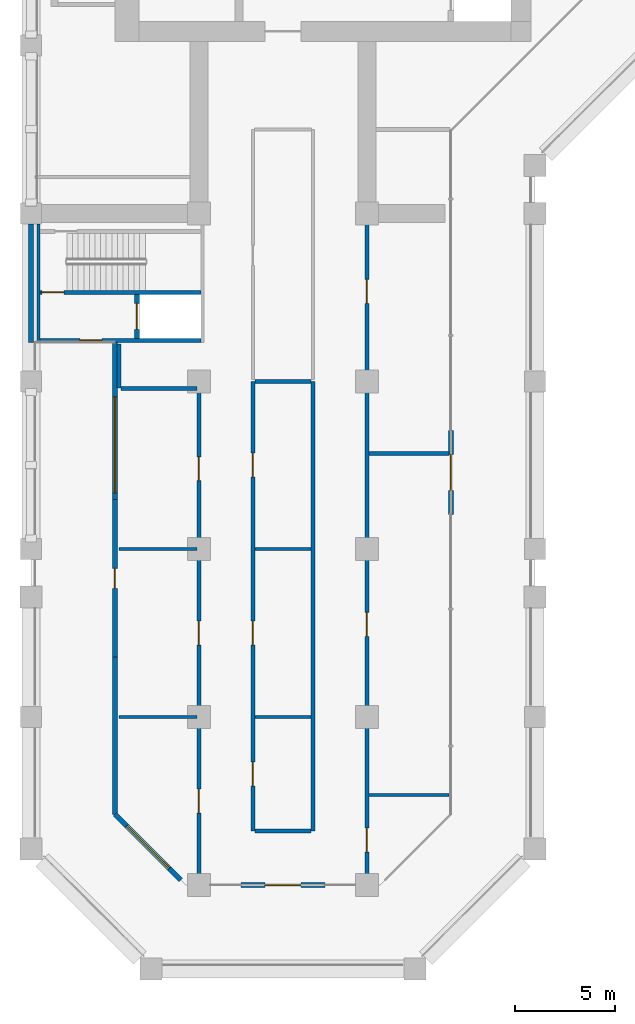
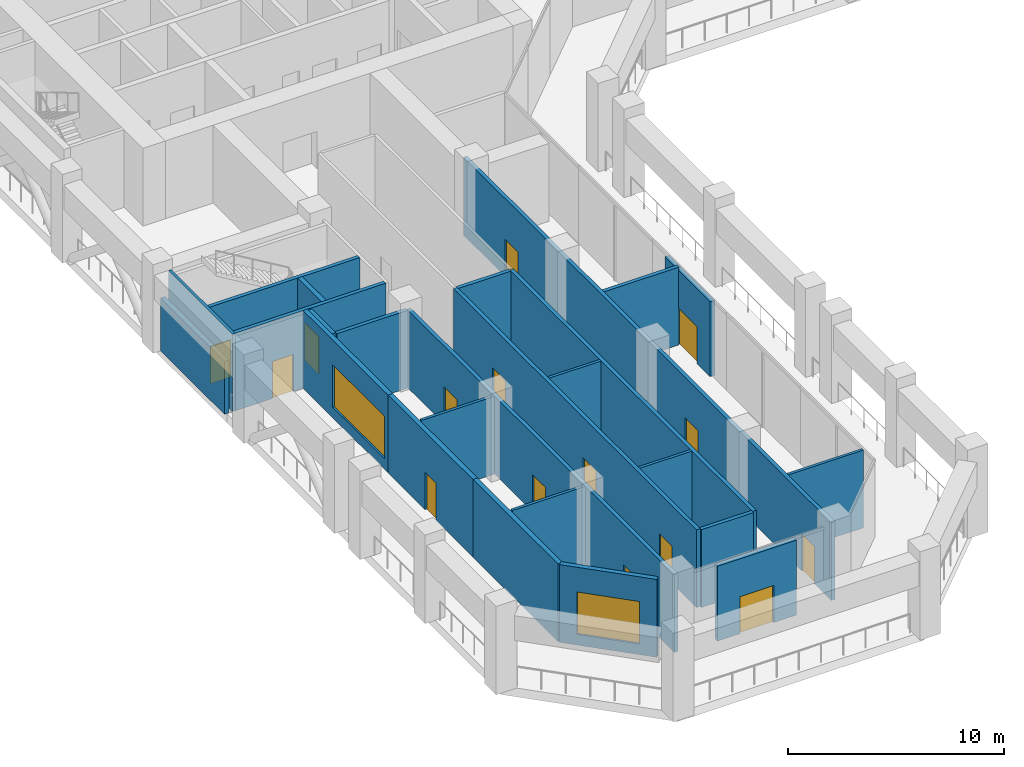
# One storey, part 6 of 19: 25 walls, 15 doors, 2 windows, 17 openings.
"""IFC4 building model written with IfcOpenShell, lengths in metres."""

from ifc_helpers import new_model, si_unit, direction, frame, frame_2d, origin, place, context, subcontext, project, spatial, rectangle, extrude, material, layer, layer_set, type_object, element, fill, save


model = new_model("IFC4")

# Units and contexts
model_context = context("Model", 3, precision=1e-05, world=origin(), true_north=direction((0.0, 1.0)))
body_context = subcontext(model_context, "Body", "Model", "MODEL_VIEW")
ifc_project = project(units=[si_unit("LENGTHUNIT", "METRE"), si_unit("AREAUNIT", "SQUARE_METRE"), si_unit("VOLUMEUNIT", "CUBIC_METRE"), si_unit("PLANEANGLEUNIT", "RADIAN"), si_unit("MASSUNIT", "GRAM", prefix="KILO")], contexts=[model_context])

# Site, building, storey
site_placement = place(None, origin())
site = spatial("IfcSite", under=ifc_project, at=site_placement, CompositionType="ELEMENT")
building_placement = place(site_placement, origin())
building = spatial("IfcBuilding", under=site, at=building_placement, Name="Kawkab Arch Medical Tower", CompositionType="ELEMENT")
storey_placement = place(building_placement, frame((0.0, 0.0, 93.800048828125)))
storey = spatial("IfcBuildingStorey", under=building, at=storey_placement, Name="L21", CompositionType="ELEMENT", Elevation=93.800048828125)

# Wall, opening, door
ifc_material_1 = material(Name="Concrete C60/75", Category="concrete")
ifc_layer_1 = layer(ifc_material_1, 0.25)
ifc_layer_set_1 = layer_set([ifc_layer_1], Name="Concrete C60/75")
wall_type_1 = type_object("IfcWallType", Name="Core shear wall 250 C60/75", PredefinedType="SHEAR", material=ifc_layer_set_1)
wall_1_placement = place(storey_placement, frame((5.300048828125, -39.85009765625, 0.0), z_axis=(0.0, 0.0, 1.0), x_axis=(0.0, 1.0, 0.0)))
wall_1 = element("IfcWall", 1, at=wall_1_placement, inside=storey, type_object=wall_type_1, Name="L21 core shear wall", PredefinedType="SHEAR", context=body_context, shape_type="SweptSolid", body=[
    extrude(rectangle(XDim=2.2001953125, YDim=0.25, at=frame_2d((1.10009765625, 0.0))), origin(), (0.0, 0.0, 1.0), 4.39990234375),
])
opening_1_placement = place(wall_1_placement, frame((0.449951171875, 0.0, 0.0)))
opening_1 = element("IfcOpeningElement", 2, at=opening_1_placement, cuts=wall_1, Name="Opening LD2", PredefinedType="OPENING", context=body_context, shape_type="SweptSolid", body=[
    extrude(rectangle(XDim=1.300048828125, YDim=2.10009765625, at=frame_2d((0.64990234375, 1.050048828125))), frame((0.0, 0.135009765625, 0.0), z_axis=(0.0, -1.0, 0.0), x_axis=(1.0, 0.0, 0.0)), (0.0, 0.0, 1.0), 0.27001953125),
])
ifc_material_2 = material(Name="Stainless steel lift door leaf", Category="steel")
door_type_1 = type_object("IfcDoorType", Name="Lift landing door 1300", OperationType="DOUBLE_DOOR_SLIDING", PredefinedType="DOOR", material=ifc_material_2)
door_1_placement = place(opening_1_placement, origin())
door_1 = element("IfcDoor", 3, at=door_1_placement, inside=storey, type_object=door_type_1, Name="L21 Lift landing door SV2", OperationType="DOUBLE_DOOR_SLIDING", OverallHeight=2.10009765625, OverallWidth=1.300048828125, PredefinedType="DOOR", context=body_context, shape_type="SweptSolid", body=[
    extrude(rectangle(XDim=1.300048828125, YDim=2.10009765625, at=frame_2d((0.64990234375, 1.050048828125))), frame((0.0, 0.02490234375, 0.0), z_axis=(0.0, -1.0, 0.0), x_axis=(1.0, 0.0, 0.0)), (0.0, 0.0, 1.0), 0.050048828125),
])
fill(opening_1, door_1)

# Wall
ifc_material_3 = material(Name="Bronze clad insulated wall panel")
ifc_layer_2 = layer(ifc_material_3, 0.25)
ifc_layer_set_2 = layer_set([ifc_layer_2], Name="Bronze clad insulated wall panel")
wall_type_2 = type_object("IfcWallType", Name="External wall bay 250", PredefinedType="SOLIDWALL", material=ifc_layer_set_2)
wall_2_placement = place(storey_placement, frame((0.0, -34.125, 0.0), z_axis=(0.0, 0.0, 1.0), x_axis=(0.0, -1.0, 0.0)))
element("IfcWall", 4, at=wall_2_placement, inside=storey, type_object=wall_type_2, Name="Plant wall L21.R02.4", PredefinedType="SOLIDWALL", context=body_context, shape_type="SweptSolid", body=[
    extrude(rectangle(XDim=5.925048828125, YDim=0.25, at=frame_2d((2.96240234375, 0.0))), origin(), (0.0, 0.0, 1.0), 3.0),
])

# Wall, opening, window
wall_3_placement = place(storey_placement, frame((4.199951171875, -40.050048828125, 0.0), z_axis=(0.0, 0.0, 1.0), x_axis=(0.0, -1.0, 0.0)))
wall_3 = element("IfcWall", 5, at=wall_3_placement, inside=storey, type_object=wall_type_2, Name="Plant wall L21.R05.1", PredefinedType="SOLIDWALL", context=body_context, shape_type="SweptSolid", body=[
    extrude(rectangle(XDim=7.869873046875, YDim=0.25, at=frame_2d((3.93505859375, 0.0))), origin(), (0.0, 0.0, 1.0), 4.39990234375),
])
opening_2_placement = place(wall_3_placement, frame((2.735107421875, 0.0, 0.60009765625)))
opening_2 = element("IfcOpeningElement", 6, at=opening_2_placement, cuts=wall_3, Name="Opening PW480-24-S6", PredefinedType="OPENING", context=body_context, shape_type="SweptSolid", body=[
    extrude(rectangle(XDim=4.800048828125, YDim=2.39990234375, at=frame_2d((2.39990234375, 1.199951171875))), frame((0.0, 0.135009765625, 0.0), z_axis=(0.0, -1.0, 0.0), x_axis=(1.0, 0.0, 0.0)), (0.0, 0.0, 1.0), 0.27001953125),
])
ifc_material_4 = material(Name="Bronze anodised aluminium louvred window", Category="aluminium")
window_type_1 = type_object("IfcWindowType", Name="Plant louvre window 4800 x 2400 sill 600", PartitioningType="DOUBLE_PANEL_VERTICAL", PredefinedType="WINDOW", material=ifc_material_4)
window_1_placement = place(opening_2_placement, origin())
window_1 = element("IfcWindow", 7, at=window_1_placement, inside=storey, type_object=window_type_1, Name="Plant louvre window L21.R05.1", OverallHeight=2.39990234375, OverallWidth=4.800048828125, PartitioningType="SINGLE_PANEL", PredefinedType="WINDOW", context=body_context, shape_type="SweptSolid", body=[
    extrude(rectangle(XDim=4.800048828125, YDim=2.39990234375, at=frame_2d((2.39990234375, 1.199951171875))), frame((0.0, 0.030029296875, 0.0), z_axis=(0.0, -1.0, 0.0), x_axis=(1.0, 0.0, 0.0)), (0.0, 0.0, 1.0), 0.06005859375),
])
fill(opening_2, window_1)

# Wall, opening, door
wall_4_placement = place(storey_placement, frame((4.199951171875, -47.919921875, 0.0), z_axis=(0.0, 0.0, 1.0), x_axis=(0.0, -1.0, 0.0)))
wall_4 = element("IfcWall", 8, at=wall_4_placement, inside=storey, type_object=wall_type_2, Name="Plant wall L21.R05.2", PredefinedType="SOLIDWALL", context=body_context, shape_type="SweptSolid", body=[
    extrude(rectangle(XDim=7.8701171875, YDim=0.25, at=frame_2d((3.93505859375, 0.0))), origin(), (0.0, 0.0, 1.0), 4.39990234375),
])
opening_3_placement = place(wall_4_placement, frame((3.43505859375, 0.0, 0.0)))
opening_3 = element("IfcOpeningElement", 9, at=opening_3_placement, cuts=wall_4, Name="Opening PL1B-701", PredefinedType="OPENING", context=body_context, shape_type="SweptSolid", body=[
    extrude(rectangle(XDim=1.0, YDim=2.10009765625, at=frame_2d((0.5, 1.050048828125))), frame((0.0, 0.135009765625, 0.0), z_axis=(0.0, -1.0, 0.0), x_axis=(1.0, 0.0, 0.0)), (0.0, 0.0, 1.0), 0.27001953125),
])
ifc_material_5 = material(Name="Bronze anodised aluminium door with tinted glass", Category="aluminium")
door_type_2 = type_object("IfcDoorType", Name="Single external door 1000 x 2100", OperationType="SINGLE_SWING_LEFT", PredefinedType="DOOR", material=ifc_material_5)
door_2_placement = place(opening_3_placement, origin())
door_2 = element("IfcDoor", 10, at=door_2_placement, inside=storey, type_object=door_type_2, Name="Roof terrace door L21.R05.2", OperationType="SINGLE_SWING_LEFT", OverallHeight=2.10009765625, OverallWidth=1.0, PredefinedType="DOOR", context=body_context, shape_type="SweptSolid", body=[
    extrude(rectangle(XDim=1.0, YDim=2.10009765625, at=frame_2d((0.5, 1.050048828125))), frame((0.0, 0.02490234375, 0.0), z_axis=(0.0, -1.0, 0.0), x_axis=(1.0, 0.0, 0.0)), (0.0, 0.0, 1.0), 0.050048828125),
])
fill(opening_3, door_2)

# Wall
wall_5_placement = place(storey_placement, frame((4.199951171875, -55.7900390625, 0.0), z_axis=(0.0, 0.0, 1.0), x_axis=(0.0, -1.0, 0.0)))
element("IfcWall", 11, at=wall_5_placement, inside=storey, type_object=wall_type_2, Name="Plant wall L21.R05.3", PredefinedType="SOLIDWALL", context=body_context, shape_type="SweptSolid", body=[
    extrude(rectangle(XDim=7.869873046875, YDim=0.25, at=frame_2d((3.93505859375, 0.0))), origin(), (0.0, 0.0, 1.0), 4.39990234375),
])

# Wall, opening, window
wall_6_placement = place(storey_placement, frame((4.199951171875, -63.659912109375, 0.0), z_axis=(0.0, 0.0, 1.0), x_axis=(0.707106781187, -0.707106781187, 0.0)))
wall_6 = element("IfcWall", 12, at=wall_6_placement, inside=storey, type_object=wall_type_2, Name="Plant wall L21.R06.1", PredefinedType="SOLIDWALL", context=body_context, shape_type="SweptSolid", body=[
    extrude(rectangle(XDim=4.66015625, YDim=0.25, at=frame_2d((2.330078125, 0.0))), origin(), (0.0, 0.0, 1.0), 4.39990234375),
])
opening_4_placement = place(wall_6_placement, frame((0.829833984375, 0.0, 0.60009765625)))
opening_4 = element("IfcOpeningElement", 13, at=opening_4_placement, cuts=wall_6, Name="Opening PW300-24-S6", PredefinedType="OPENING", context=body_context, shape_type="SweptSolid", body=[
    extrude(rectangle(XDim=3.0, YDim=2.39990234375, at=frame_2d((1.5, 1.199951171875))), frame((0.0, 0.135009765625, 0.0), z_axis=(0.0, -1.0, 0.0), x_axis=(1.0, 0.0, 0.0)), (0.0, 0.0, 1.0), 0.27001953125),
])
ifc_material_6 = material(Name="Bronze anodised aluminium louvred window", Category="aluminium")
window_type_2 = type_object("IfcWindowType", Name="Plant louvre window 3000 x 2400 sill 600", PartitioningType="DOUBLE_PANEL_VERTICAL", PredefinedType="WINDOW", material=ifc_material_6)
window_2_placement = place(opening_4_placement, origin())
window_2 = element("IfcWindow", 14, at=window_2_placement, inside=storey, type_object=window_type_2, Name="Plant louvre window L21.R06.1", OverallHeight=2.39990234375, OverallWidth=3.0, PartitioningType="SINGLE_PANEL", PredefinedType="WINDOW", context=body_context, shape_type="SweptSolid", body=[
    extrude(rectangle(XDim=3.0, YDim=2.39990234375, at=frame_2d((1.5, 1.199951171875))), frame((0.0, 0.030029296875, 0.0), z_axis=(0.0, -1.0, 0.0), x_axis=(1.0, 0.0, 0.0)), (0.0, 0.0, 1.0), 0.06005859375),
])
fill(opening_4, window_2)

# Wall, opening, door
wall_7_placement = place(storey_placement, frame((10.5, -67.200927734375, 0.0), z_axis=(0.0, 0.0, 1.0), x_axis=(1.0, 0.0, 0.0)))
wall_7 = element("IfcWall", 15, at=wall_7_placement, inside=storey, type_object=wall_type_2, Name="External wall bay L21.R07.1.2", PredefinedType="SOLIDWALL", context=body_context, shape_type="SweptSolid", body=[
    extrude(rectangle(XDim=4.199951171875, YDim=0.25, at=frame_2d((2.10009765625, 0.0))), origin(), (0.0, 0.0, 1.0), 4.239990234375),
])
opening_5_placement = place(wall_7_placement, frame((1.199951171875, 0.0, 0.0)))
opening_5 = element("IfcOpeningElement", 16, at=opening_5_placement, cuts=wall_7, Name="Opening PL1B-702", PredefinedType="OPENING", context=body_context, shape_type="SweptSolid", body=[
    extrude(rectangle(XDim=1.800048828125, YDim=2.10009765625, at=frame_2d((0.89990234375, 1.050048828125))), frame((0.0, 0.135009765625, 0.0), z_axis=(0.0, -1.0, 0.0), x_axis=(1.0, 0.0, 0.0)), (0.0, 0.0, 1.0), 0.27001953125),
])
ifc_material_7 = material(Name="Bronze anodised aluminium door with tinted glass", Category="aluminium")
door_type_3 = type_object("IfcDoorType", Name="Double external door 1800 x 2100", OperationType="DOUBLE_DOOR_SINGLE_SWING", PredefinedType="DOOR", material=ifc_material_7)
door_3_placement = place(opening_5_placement, origin())
door_3 = element("IfcDoor", 17, at=door_3_placement, inside=storey, type_object=door_type_3, Name="External door L21.R07.1.2", OperationType="DOUBLE_DOOR_SINGLE_SWING", OverallHeight=2.10009765625, OverallWidth=1.800048828125, PredefinedType="DOOR", context=body_context, shape_type="SweptSolid", body=[
    extrude(rectangle(XDim=1.800048828125, YDim=2.10009765625, at=frame_2d((0.89990234375, 1.050048828125))), frame((0.0, 0.02490234375, 0.0), z_axis=(0.0, -1.0, 0.0), x_axis=(1.0, 0.0, 0.0)), (0.0, 0.0, 1.0), 0.050048828125),
])
fill(opening_5, door_3)

wall_8_placement = place(storey_placement, frame((21.0, -48.659912109375, 0.0), z_axis=(0.0, 0.0, 1.0), x_axis=(0.0, 1.0, 0.0)))
wall_8 = element("IfcWall", 18, at=wall_8_placement, inside=storey, type_object=wall_type_2, Name="External wall bay L21.R09.3.2", PredefinedType="SOLIDWALL", context=body_context, shape_type="SweptSolid", body=[
    extrude(rectangle(XDim=4.199951171875, YDim=0.25, at=frame_2d((2.10009765625, 0.0))), origin(), (0.0, 0.0, 1.0), 4.239990234375),
])
opening_6_placement = place(wall_8_placement, frame((1.199951171875, 0.0, 0.0)))
opening_6 = element("IfcOpeningElement", 19, at=opening_6_placement, cuts=wall_8, Name="Opening PL1B-702", PredefinedType="OPENING", context=body_context, shape_type="SweptSolid", body=[
    extrude(rectangle(XDim=1.800048828125, YDim=2.10009765625, at=frame_2d((0.89990234375, 1.050048828125))), frame((0.0, 0.135009765625, 0.0), z_axis=(0.0, -1.0, 0.0), x_axis=(1.0, 0.0, 0.0)), (0.0, 0.0, 1.0), 0.27001953125),
])
door_4_placement = place(opening_6_placement, origin())
door_4 = element("IfcDoor", 20, at=door_4_placement, inside=storey, type_object=door_type_3, Name="External door L21.R09.3.2", OperationType="DOUBLE_DOOR_SINGLE_SWING", OverallHeight=2.10009765625, OverallWidth=1.800048828125, PredefinedType="DOOR", context=body_context, shape_type="SweptSolid", body=[
    extrude(rectangle(XDim=1.800048828125, YDim=2.10009765625, at=frame_2d((0.89990234375, 1.050048828125))), frame((0.0, 0.02490234375, 0.0), z_axis=(0.0, -1.0, 0.0), x_axis=(1.0, 0.0, 0.0)), (0.0, 0.0, 1.0), 0.050048828125),
])
fill(opening_6, door_4)

# Walls
ifc_material_8 = material(Name="Gypsum board partition on steel studs, mineral wool", Category="steel")
ifc_layer_3 = layer(ifc_material_8, 0.14990234375)
ifc_layer_set_3 = layer_set([ifc_layer_3], Name="Gypsum board partition on steel studs, mineral wool")
wall_type_3 = type_object("IfcWallType", Name="Partition 150", PredefinedType="PARTITIONING", material=ifc_layer_set_3)
wall_9_placement = place(storey_placement, frame((16.89990234375, -62.699951171875, 0.0), z_axis=(0.0, 0.0, 1.0), x_axis=(1.0, 0.0, 0.0)))
element("IfcWall", 21, at=wall_9_placement, inside=storey, type_object=wall_type_3, Name="Partition 150 w001", PredefinedType="PARTITIONING", context=body_context, shape_type="SweptSolid", body=[
    extrude(rectangle(XDim=4.02001953125, YDim=0.14990234375, at=frame_2d((2.010009765625, 0.0))), origin(), (0.0, 0.0, 1.0), 4.39990234375),
])
wall_10_placement = place(storey_placement, frame((4.39990234375, -58.800048828125, 0.0), z_axis=(0.0, 0.0, 1.0), x_axis=(1.0, 0.0, 0.0)))
element("IfcWall", 22, at=wall_10_placement, inside=storey, type_object=wall_type_3, Name="Partition 150 w002", PredefinedType="PARTITIONING", context=body_context, shape_type="SweptSolid", body=[
    extrude(rectangle(XDim=3.900146484375, YDim=0.14990234375, at=frame_2d((1.9501953125, 0.0))), origin(), (0.0, 0.0, 1.0), 4.39990234375),
])
wall_11_placement = place(storey_placement, frame((11.199951171875, -58.800048828125, 0.0), z_axis=(0.0, 0.0, 1.0), x_axis=(1.0, 0.0, 0.0)))
element("IfcWall", 23, at=wall_11_placement, inside=storey, type_object=wall_type_3, Name="Partition 150 w003", PredefinedType="PARTITIONING", context=body_context, shape_type="SweptSolid", body=[
    extrude(rectangle(XDim=2.800048828125, YDim=0.14990234375, at=frame_2d((1.39990234375, 0.0))), origin(), (0.0, 0.0, 1.0), 4.39990234375),
])
wall_12_placement = place(storey_placement, frame((4.39990234375, -50.39990234375, 0.0), z_axis=(0.0, 0.0, 1.0), x_axis=(1.0, 0.0, 0.0)))
element("IfcWall", 24, at=wall_12_placement, inside=storey, type_object=wall_type_3, Name="Partition 150 w004", PredefinedType="PARTITIONING", context=body_context, shape_type="SweptSolid", body=[
    extrude(rectangle(XDim=3.900146484375, YDim=0.14990234375, at=frame_2d((1.9501953125, 0.0))), origin(), (0.0, 0.0, 1.0), 4.39990234375),
])
wall_13_placement = place(storey_placement, frame((11.199951171875, -50.39990234375, 0.0), z_axis=(0.0, 0.0, 1.0), x_axis=(1.0, 0.0, 0.0)))
element("IfcWall", 25, at=wall_13_placement, inside=storey, type_object=wall_type_3, Name="Partition 150 w005", PredefinedType="PARTITIONING", context=body_context, shape_type="SweptSolid", body=[
    extrude(rectangle(XDim=2.800048828125, YDim=0.14990234375, at=frame_2d((1.39990234375, 0.0))), origin(), (0.0, 0.0, 1.0), 4.39990234375),
])
ifc_material_9 = material(Name="Fire-rated gypsum board partition on steel studs", Category="steel")
ifc_layer_4 = layer(ifc_material_9, 0.199951171875)
ifc_layer_set_4 = layer_set([ifc_layer_4], Name="Fire-rated gypsum board partition on steel studs")
wall_type_4 = type_object("IfcWallType", Name="Protected partition 200", PredefinedType="PARTITIONING", material=ifc_layer_set_4)
wall_14_placement = place(storey_placement, frame((11.202880859375, -64.5, 0.0), z_axis=(0.0, 0.0, 1.0), x_axis=(1.0, 0.0, 0.0)))
element("IfcWall", 26, at=wall_14_placement, inside=storey, type_object=wall_type_4, Name="Protected partition 200 w018", PredefinedType="PARTITIONING", context=body_context, shape_type="SweptSolid", body=[
    extrude(rectangle(XDim=2.797119140625, YDim=0.199951171875, at=frame_2d((1.3984375, 0.0))), origin(), (0.0, 0.0, 1.0), 4.39990234375),
])
wall_15_placement = place(storey_placement, frame((16.89990234375, -45.60888671875, 0.0), z_axis=(0.0, 0.0, 1.0), x_axis=(1.0, 0.0, 0.0)))
element("IfcWall", 27, at=wall_15_placement, inside=storey, type_object=wall_type_4, Name="Protected partition 200 w019", PredefinedType="PARTITIONING", context=body_context, shape_type="SweptSolid", body=[
    extrude(rectangle(XDim=4.02001953125, YDim=0.199951171875, at=frame_2d((2.010009765625, 0.0))), origin(), (0.0, 0.0, 1.0), 4.39990234375),
])
wall_16_placement = place(storey_placement, frame((4.5009765625, -42.35009765625, 0.0), z_axis=(0.0, 0.0, 1.0), x_axis=(1.0, 0.0, 0.0)))
element("IfcWall", 28, at=wall_16_placement, inside=storey, type_object=wall_type_4, Name="Protected partition 200 w020", PredefinedType="PARTITIONING", context=body_context, shape_type="SweptSolid", body=[
    extrude(rectangle(XDim=3.797119140625, YDim=0.199951171875, at=frame_2d((1.8984375, 0.0))), origin(), (0.0, 0.0, 1.0), 4.39990234375),
])
wall_17_placement = place(storey_placement, frame((11.199951171875, -42.0, 0.0), z_axis=(0.0, 0.0, 1.0), x_axis=(1.0, 0.0, 0.0)))
element("IfcWall", 29, at=wall_17_placement, inside=storey, type_object=wall_type_4, Name="Protected partition 200 w021", PredefinedType="PARTITIONING", context=body_context, shape_type="SweptSolid", body=[
    extrude(rectangle(XDim=2.800048828125, YDim=0.199951171875, at=frame_2d((1.39990234375, 0.0))), origin(), (0.0, 0.0, 1.0), 4.39990234375),
])
wall_18_placement = place(storey_placement, frame((4.39990234375, -42.347900390625, 0.0), z_axis=(0.0, 0.0, 1.0), x_axis=(0.0, 1.0, 0.0)))
element("IfcWall", 30, at=wall_18_placement, inside=storey, type_object=wall_type_4, Name="Protected partition 200 w033", PredefinedType="PARTITIONING", context=body_context, shape_type="SweptSolid", body=[
    extrude(rectangle(XDim=2.218017578125, YDim=0.199951171875, at=frame_2d((1.10888671875, 0.0))), origin(), (0.0, 0.0, 1.0), 4.39990234375),
])

# Wall, openings, doors
wall_19_placement = place(storey_placement, frame((8.39990234375, -67.12109375, 0.0), z_axis=(0.0, 0.0, 1.0), x_axis=(0.0, 1.0, 0.0)))
wall_19 = element("IfcWall", 31, at=wall_19_placement, inside=storey, type_object=wall_type_4, Name="Protected partition 200 w034", PredefinedType="PARTITIONING", context=body_context, shape_type="SweptSolid", body=[
    extrude(rectangle(XDim=24.76904296875, YDim=0.199951171875, at=frame_2d((12.384521484375, 0.0))), origin(), (0.0, 0.0, 1.0), 4.39990234375),
])
opening_7_placement = place(wall_19_placement, frame((20.14501953125, 0.0, 0.0)))
opening_7 = element("IfcOpeningElement", 32, at=opening_7_placement, cuts=wall_19, Name="Opening PL1B-013", PredefinedType="OPENING", context=body_context, shape_type="SweptSolid", body=[
    extrude(rectangle(XDim=1.199951171875, YDim=2.10009765625, at=frame_2d((0.60009765625, 1.050048828125))), frame((0.0, 0.10986328125, 0.0), z_axis=(0.0, -1.0, 0.0), x_axis=(1.0, 0.0, 0.0)), (0.0, 0.0, 1.0), 0.219970703125),
])
opening_8_placement = place(wall_19_placement, frame((11.9208984375, 0.0, 0.0)))
opening_8 = element("IfcOpeningElement", 33, at=opening_8_placement, cuts=wall_19, Name="Opening PL1B-014", PredefinedType="OPENING", context=body_context, shape_type="SweptSolid", body=[
    extrude(rectangle(XDim=1.199951171875, YDim=2.10009765625, at=frame_2d((0.60009765625, 1.050048828125))), frame((0.0, 0.10986328125, 0.0), z_axis=(0.0, -1.0, 0.0), x_axis=(1.0, 0.0, 0.0)), (0.0, 0.0, 1.0), 0.219970703125),
])
opening_9_placement = place(wall_19_placement, frame((3.52001953125, 0.0, 0.0)))
opening_9 = element("IfcOpeningElement", 34, at=opening_9_placement, cuts=wall_19, Name="Opening PL1B-015", PredefinedType="OPENING", context=body_context, shape_type="SweptSolid", body=[
    extrude(rectangle(XDim=1.199951171875, YDim=2.10009765625, at=frame_2d((0.60009765625, 1.050048828125))), frame((0.0, 0.10986328125, 0.0), z_axis=(0.0, -1.0, 0.0), x_axis=(1.0, 0.0, 0.0)), (0.0, 0.0, 1.0), 0.219970703125),
])
ifc_material_10 = material(Name="Hollow metal door leaf")
door_type_4 = type_object("IfcDoorType", Name="Single door 1200x2100 FD60", OperationType="NOTDEFINED", PredefinedType="DOOR", material=ifc_material_10)
door_5_placement = place(opening_7_placement, origin())
door_5 = element("IfcDoor", 35, at=door_5_placement, inside=storey, type_object=door_type_4, Name="Door PL1B-013", OperationType="SINGLE_SWING_RIGHT", OverallHeight=2.10009765625, OverallWidth=1.199951171875, PredefinedType="DOOR", context=body_context, shape_type="SweptSolid", body=[
    extrude(rectangle(XDim=1.199951171875, YDim=2.10009765625, at=frame_2d((0.60009765625, 1.050048828125))), frame((0.0, 0.02490234375, 0.0), z_axis=(0.0, -1.0, 0.0), x_axis=(1.0, 0.0, 0.0)), (0.0, 0.0, 1.0), 0.050048828125),
])
fill(opening_7, door_5)
door_6_placement = place(opening_8_placement, origin())
door_6 = element("IfcDoor", 36, at=door_6_placement, inside=storey, type_object=door_type_4, Name="Door PL1B-014", OperationType="SINGLE_SWING_LEFT", OverallHeight=2.10009765625, OverallWidth=1.199951171875, PredefinedType="DOOR", context=body_context, shape_type="SweptSolid", body=[
    extrude(rectangle(XDim=1.199951171875, YDim=2.10009765625, at=frame_2d((0.60009765625, 1.050048828125))), frame((0.0, 0.02490234375, 0.0), z_axis=(0.0, -1.0, 0.0), x_axis=(1.0, 0.0, 0.0)), (0.0, 0.0, 1.0), 0.050048828125),
])
fill(opening_8, door_6)
door_7_placement = place(opening_9_placement, origin())
door_7 = element("IfcDoor", 37, at=door_7_placement, inside=storey, type_object=door_type_4, Name="Door PL1B-015", OperationType="SINGLE_SWING_LEFT", OverallHeight=2.10009765625, OverallWidth=1.199951171875, PredefinedType="DOOR", context=body_context, shape_type="SweptSolid", body=[
    extrude(rectangle(XDim=1.199951171875, YDim=2.10009765625, at=frame_2d((0.60009765625, 1.050048828125))), frame((0.0, 0.02490234375, 0.0), z_axis=(0.0, -1.0, 0.0), x_axis=(1.0, 0.0, 0.0)), (0.0, 0.0, 1.0), 0.050048828125),
])
fill(opening_9, door_7)

wall_20_placement = place(storey_placement, frame((11.10009765625, -64.4970703125, 0.0), z_axis=(0.0, 0.0, 1.0), x_axis=(0.0, 1.0, 0.0)))
wall_20 = element("IfcWall", 38, at=wall_20_placement, inside=storey, type_object=wall_type_4, Name="Protected partition 200 w035", PredefinedType="PARTITIONING", context=body_context, shape_type="SweptSolid", body=[
    extrude(rectangle(XDim=22.4970703125, YDim=0.199951171875, at=frame_2d((11.24853515625, 0.0))), origin(), (0.0, 0.0, 1.0), 4.39990234375),
])
opening_10_placement = place(wall_20_placement, frame((17.697021484375, 0.0, 0.0)))
opening_10 = element("IfcOpeningElement", 39, at=opening_10_placement, cuts=wall_20, Name="Opening PL1B-016", PredefinedType="OPENING", context=body_context, shape_type="SweptSolid", body=[
    extrude(rectangle(XDim=1.199951171875, YDim=2.10009765625, at=frame_2d((0.60009765625, 1.050048828125))), frame((0.0, 0.10986328125, 0.0), z_axis=(0.0, -1.0, 0.0), x_axis=(1.0, 0.0, 0.0)), (0.0, 0.0, 1.0), 0.219970703125),
])
opening_11_placement = place(wall_20_placement, frame((9.297119140625, 0.0, 0.0)))
opening_11 = element("IfcOpeningElement", 40, at=opening_11_placement, cuts=wall_20, Name="Opening PL1B-017", PredefinedType="OPENING", context=body_context, shape_type="SweptSolid", body=[
    extrude(rectangle(XDim=1.199951171875, YDim=2.10009765625, at=frame_2d((0.60009765625, 1.050048828125))), frame((0.0, 0.10986328125, 0.0), z_axis=(0.0, -1.0, 0.0), x_axis=(1.0, 0.0, 0.0)), (0.0, 0.0, 1.0), 0.219970703125),
])
opening_12_placement = place(wall_20_placement, frame((2.248046875, 0.0, 0.0)))
opening_12 = element("IfcOpeningElement", 41, at=opening_12_placement, cuts=wall_20, Name="Opening PL1B-018", PredefinedType="OPENING", context=body_context, shape_type="SweptSolid", body=[
    extrude(rectangle(XDim=1.199951171875, YDim=2.10009765625, at=frame_2d((0.60009765625, 1.050048828125))), frame((0.0, 0.10986328125, 0.0), z_axis=(0.0, -1.0, 0.0), x_axis=(1.0, 0.0, 0.0)), (0.0, 0.0, 1.0), 0.219970703125),
])
door_8_placement = place(opening_10_placement, origin())
door_8 = element("IfcDoor", 42, at=door_8_placement, inside=storey, type_object=door_type_4, Name="Door PL1B-016", OperationType="SINGLE_SWING_LEFT", OverallHeight=2.10009765625, OverallWidth=1.199951171875, PredefinedType="DOOR", context=body_context, shape_type="SweptSolid", body=[
    extrude(rectangle(XDim=1.199951171875, YDim=2.10009765625, at=frame_2d((0.60009765625, 1.050048828125))), frame((0.0, 0.02490234375, 0.0), z_axis=(0.0, -1.0, 0.0), x_axis=(1.0, 0.0, 0.0)), (0.0, 0.0, 1.0), 0.050048828125),
])
fill(opening_10, door_8)
door_9_placement = place(opening_11_placement, origin())
door_9 = element("IfcDoor", 43, at=door_9_placement, inside=storey, type_object=door_type_4, Name="Door PL1B-017", OperationType="SINGLE_SWING_RIGHT", OverallHeight=2.10009765625, OverallWidth=1.199951171875, PredefinedType="DOOR", context=body_context, shape_type="SweptSolid", body=[
    extrude(rectangle(XDim=1.199951171875, YDim=2.10009765625, at=frame_2d((0.60009765625, 1.050048828125))), frame((0.0, 0.02490234375, 0.0), z_axis=(0.0, -1.0, 0.0), x_axis=(1.0, 0.0, 0.0)), (0.0, 0.0, 1.0), 0.050048828125),
])
fill(opening_11, door_9)
door_10_placement = place(opening_12_placement, origin())
door_10 = element("IfcDoor", 44, at=door_10_placement, inside=storey, type_object=door_type_4, Name="Door PL1B-018", OperationType="SINGLE_SWING_RIGHT", OverallHeight=2.10009765625, OverallWidth=1.199951171875, PredefinedType="DOOR", context=body_context, shape_type="SweptSolid", body=[
    extrude(rectangle(XDim=1.199951171875, YDim=2.10009765625, at=frame_2d((0.60009765625, 1.050048828125))), frame((0.0, 0.02490234375, 0.0), z_axis=(0.0, -1.0, 0.0), x_axis=(1.0, 0.0, 0.0)), (0.0, 0.0, 1.0), 0.050048828125),
])
fill(opening_12, door_10)

# Wall
wall_21_placement = place(storey_placement, frame((14.10009765625, -64.5, 0.0), z_axis=(0.0, 0.0, 1.0), x_axis=(0.0, 1.0, 0.0)))
element("IfcWall", 45, at=wall_21_placement, inside=storey, type_object=wall_type_4, Name="Protected partition 200 w036", PredefinedType="PARTITIONING", context=body_context, shape_type="SweptSolid", body=[
    extrude(rectangle(XDim=22.5, YDim=0.199951171875, at=frame_2d((11.25, 0.0))), origin(), (0.0, 0.0, 1.0), 4.39990234375),
])

# Wall, openings, doors
wall_22_placement = place(storey_placement, frame((16.800048828125, -67.12109375, 0.0), z_axis=(0.0, 0.0, 1.0), x_axis=(0.0, 1.0, 0.0)))
wall_22 = element("IfcWall", 46, at=wall_22_placement, inside=storey, type_object=wall_type_4, Name="Protected partition 200 w037", PredefinedType="PARTITIONING", context=body_context, shape_type="SweptSolid", body=[
    extrude(rectangle(XDim=34.09619140625, YDim=0.199951171875, at=frame_2d((17.048095703125, 0.0))), origin(), (0.0, 0.0, 1.0), 4.39990234375),
])
opening_13_placement = place(wall_22_placement, frame((29.01611328125, 0.0, 0.0)))
opening_13 = element("IfcOpeningElement", 47, at=opening_13_placement, cuts=wall_22, Name="Opening PL1B-022", PredefinedType="OPENING", context=body_context, shape_type="SweptSolid", body=[
    extrude(rectangle(XDim=1.199951171875, YDim=2.10009765625, at=frame_2d((0.60009765625, 1.050048828125))), frame((0.0, 0.10986328125, 0.0), z_axis=(0.0, -1.0, 0.0), x_axis=(1.0, 0.0, 0.0)), (0.0, 0.0, 1.0), 0.219970703125),
])
opening_14_placement = place(wall_22_placement, frame((12.365966796875, 0.0, 0.0)))
opening_14 = element("IfcOpeningElement", 48, at=opening_14_placement, cuts=wall_22, Name="Opening PL1B-019", PredefinedType="OPENING", context=body_context, shape_type="SweptSolid", body=[
    extrude(rectangle(XDim=1.199951171875, YDim=2.10009765625, at=frame_2d((0.60009765625, 1.050048828125))), frame((0.0, 0.10986328125, 0.0), z_axis=(0.0, -1.0, 0.0), x_axis=(1.0, 0.0, 0.0)), (0.0, 0.0, 1.0), 0.219970703125),
])
opening_15_placement = place(wall_22_placement, frame((1.570068359375, 0.0, 0.0)))
opening_15 = element("IfcOpeningElement", 49, at=opening_15_placement, cuts=wall_22, Name="Opening PL1B-020", PredefinedType="OPENING", context=body_context, shape_type="SweptSolid", body=[
    extrude(rectangle(XDim=1.199951171875, YDim=2.10009765625, at=frame_2d((0.60009765625, 1.050048828125))), frame((0.0, 0.10986328125, 0.0), z_axis=(0.0, -1.0, 0.0), x_axis=(1.0, 0.0, 0.0)), (0.0, 0.0, 1.0), 0.219970703125),
])
door_11_placement = place(opening_14_placement, origin())
door_11 = element("IfcDoor", 50, at=door_11_placement, inside=storey, type_object=door_type_4, Name="Door PL1B-019", OperationType="SINGLE_SWING_RIGHT", OverallHeight=2.10009765625, OverallWidth=1.199951171875, PredefinedType="DOOR", context=body_context, shape_type="SweptSolid", body=[
    extrude(rectangle(XDim=1.199951171875, YDim=2.10009765625, at=frame_2d((0.60009765625, 1.050048828125))), frame((0.0, 0.02490234375, 0.0), z_axis=(0.0, -1.0, 0.0), x_axis=(1.0, 0.0, 0.0)), (0.0, 0.0, 1.0), 0.050048828125),
])
fill(opening_14, door_11)
door_12_placement = place(opening_15_placement, origin())
door_12 = element("IfcDoor", 51, at=door_12_placement, inside=storey, type_object=door_type_4, Name="Door PL1B-020", OperationType="SINGLE_SWING_RIGHT", OverallHeight=2.10009765625, OverallWidth=1.199951171875, PredefinedType="DOOR", context=body_context, shape_type="SweptSolid", body=[
    extrude(rectangle(XDim=1.199951171875, YDim=2.10009765625, at=frame_2d((0.60009765625, 1.050048828125))), frame((0.0, 0.02490234375, 0.0), z_axis=(0.0, -1.0, 0.0), x_axis=(1.0, 0.0, 0.0)), (0.0, 0.0, 1.0), 0.050048828125),
])
fill(opening_15, door_12)
ifc_material_11 = material(Name="Hollow metal door leaf")
door_type_5 = type_object("IfcDoorType", Name="Single door 1200x2100 FD90", OperationType="NOTDEFINED", PredefinedType="DOOR", material=ifc_material_11)
door_13_placement = place(opening_13_placement, origin())
door_13 = element("IfcDoor", 52, at=door_13_placement, inside=storey, type_object=door_type_5, Name="Door PL1B-022", OperationType="SINGLE_SWING_LEFT", OverallHeight=2.10009765625, OverallWidth=1.199951171875, PredefinedType="DOOR", context=body_context, shape_type="SweptSolid", body=[
    extrude(rectangle(XDim=1.199951171875, YDim=2.10009765625, at=frame_2d((0.60009765625, 1.050048828125))), frame((0.0, 0.02490234375, 0.0), z_axis=(0.0, -1.0, 0.0), x_axis=(1.0, 0.0, 0.0)), (0.0, 0.0, 1.0), 0.050048828125),
])
fill(opening_13, door_13)

# Wall
ifc_material_12 = material(Name="Concrete C50/60", Category="concrete")
ifc_layer_5 = layer(ifc_material_12, 0.14990234375)
ifc_layer_set_5 = layer_set([ifc_layer_5], Name="Concrete C50/60")
wall_type_5 = type_object("IfcWallType", Name="Stair enclosure wall 150 C50/60", PredefinedType="SHEAR", material=ifc_layer_set_5)
wall_23_placement = place(storey_placement, frame((0.375, -40.050048828125, 0.0), z_axis=(0.0, 0.0, 1.0), x_axis=(0.0, 1.0, 0.0)))
element("IfcWall", 53, at=wall_23_placement, inside=storey, type_object=wall_type_5, Name="L21 stair enclosure wall", PredefinedType="SHEAR", context=body_context, shape_type="SweptSolid", body=[
    extrude(rectangle(XDim=5.925048828125, YDim=0.14990234375, at=frame_2d((2.96240234375, 0.0))), origin(), (0.0, 0.0, 1.0), 4.39990234375),
])

# Wall, opening, door
ifc_material_13 = material(Name="Concrete C50/60", Category="concrete")
ifc_layer_6 = layer(ifc_material_13, 0.199951171875)
ifc_layer_set_6 = layer_set([ifc_layer_6], Name="Concrete C50/60")
wall_type_6 = type_object("IfcWallType", Name="Stair enclosure wall 200 C50/60", PredefinedType="SHEAR", material=ifc_layer_set_6)
wall_24_placement = place(storey_placement, frame((0.449951171875, -37.550048828125, 0.0), z_axis=(0.0, 0.0, 1.0), x_axis=(1.0, 0.0, 0.0)))
wall_24 = element("IfcWall", 54, at=wall_24_placement, inside=storey, type_object=wall_type_6, Name="L21 stair enclosure wall", PredefinedType="SHEAR", context=body_context, shape_type="SweptSolid", body=[
    extrude(rectangle(XDim=8.050048828125, YDim=0.199951171875, at=frame_2d((4.02490234375, 0.0))), origin(), (0.0, 0.0, 1.0), 4.39990234375),
])
opening_16_placement = place(wall_24_placement, frame((0.10009765625, 0.0, 0.0)))
opening_16 = element("IfcOpeningElement", 55, at=opening_16_placement, cuts=wall_24, Name="Opening SD", PredefinedType="OPENING", context=body_context, shape_type="SweptSolid", body=[
    extrude(rectangle(XDim=1.10009765625, YDim=2.10009765625, at=frame_2d((0.550048828125, 1.050048828125))), frame((0.0, 0.10986328125, 0.0), z_axis=(0.0, -1.0, 0.0), x_axis=(1.0, 0.0, 0.0)), (0.0, 0.0, 1.0), 0.219970703125),
])
ifc_material_14 = material(Name="Hollow metal fire door leaf")
door_type_6 = type_object("IfcDoorType", Name="Exit stair door 1100", OperationType="SINGLE_SWING_LEFT", PredefinedType="DOOR", material=ifc_material_14)
door_14_placement = place(opening_16_placement, frame((1.10009765625, 0.0, 0.0), z_axis=(0.0, 0.0, 1.0), x_axis=(-1.0, 0.0, 0.0)))
door_14 = element("IfcDoor", 56, at=door_14_placement, inside=storey, type_object=door_type_6, Name="L21 Exit stair ST6 lobby door", OperationType="SINGLE_SWING_LEFT", OverallHeight=2.10009765625, OverallWidth=1.10009765625, PredefinedType="DOOR", context=body_context, shape_type="SweptSolid", body=[
    extrude(rectangle(XDim=1.10009765625, YDim=2.10009765625, at=frame_2d((0.550048828125, 1.050048828125))), frame((0.0, 0.02490234375, 0.0), z_axis=(0.0, -1.0, 0.0), x_axis=(1.0, 0.0, 0.0)), (0.0, 0.0, 1.0), 0.050048828125),
])
fill(opening_16, door_14)

wall_25_placement = place(storey_placement, frame((0.449951171875, -39.949951171875, 0.0), z_axis=(0.0, 0.0, 1.0), x_axis=(1.0, 0.0, 0.0)))
wall_25 = element("IfcWall", 57, at=wall_25_placement, inside=storey, type_object=wall_type_6, Name="L21 stair enclosure wall", PredefinedType="SHEAR", context=body_context, shape_type="SweptSolid", body=[
    extrude(rectangle(XDim=8.050048828125, YDim=0.199951171875, at=frame_2d((4.02490234375, 0.0))), origin(), (0.0, 0.0, 1.0), 4.39990234375),
])
opening_17_placement = place(wall_25_placement, frame((2.0, 0.0, 0.0)))
opening_17 = element("IfcOpeningElement", 58, at=opening_17_placement, cuts=wall_25, Name="Opening FD", PredefinedType="OPENING", context=body_context, shape_type="SweptSolid", body=[
    extrude(rectangle(XDim=1.10009765625, YDim=2.10009765625, at=frame_2d((0.550048828125, 1.050048828125))), frame((0.0, 0.10986328125, 0.0), z_axis=(0.0, -1.0, 0.0), x_axis=(1.0, 0.0, 0.0)), (0.0, 0.0, 1.0), 0.219970703125),
])
ifc_material_15 = material(Name="Hollow metal fire door leaf")
door_type_7 = type_object("IfcDoorType", Name="Firefighting lobby door 1100", OperationType="SINGLE_SWING_LEFT", PredefinedType="DOOR", material=ifc_material_15)
door_15_placement = place(opening_17_placement, origin())
door_15 = element("IfcDoor", 59, at=door_15_placement, inside=storey, type_object=door_type_7, Name="L21 Service lift lobby door SV2", OperationType="SINGLE_SWING_LEFT", OverallHeight=2.10009765625, OverallWidth=1.10009765625, PredefinedType="DOOR", context=body_context, shape_type="SweptSolid", body=[
    extrude(rectangle(XDim=1.10009765625, YDim=2.10009765625, at=frame_2d((0.550048828125, 1.050048828125))), frame((0.0, 0.02490234375, 0.0), z_axis=(0.0, -1.0, 0.0), x_axis=(1.0, 0.0, 0.0)), (0.0, 0.0, 1.0), 0.050048828125),
])
fill(opening_17, door_15)

save(model, "model.ifc")
